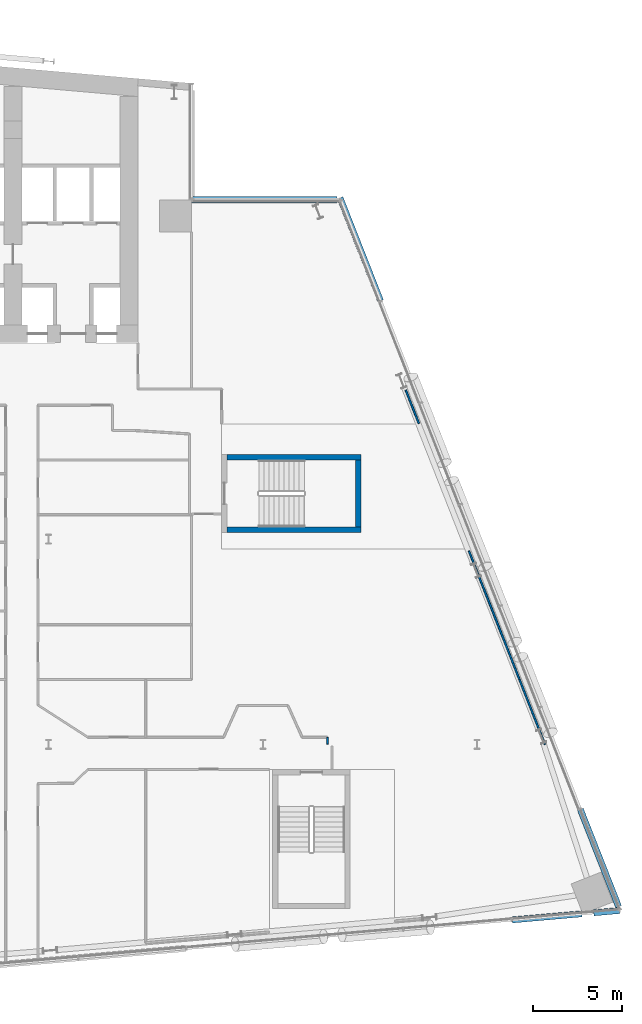
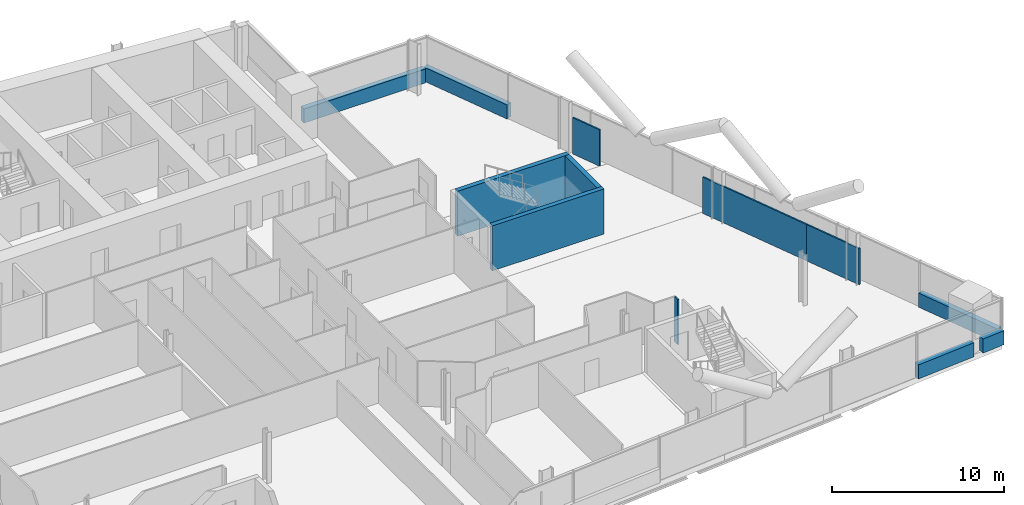
# One storey, part 19 of 27: 12 walls.
"""IFC4 building model written with IfcOpenShell, lengths in metres."""

from ifc_helpers import new_model, si_unit, direction, frame, frame_2d, origin, place, context, subcontext, project, spatial, rectangle, extrude, material, layer, layer_set, type_object, element, save


model = new_model("IFC4")

# Units and contexts
model_context = context("Model", 3, precision=1e-05, world=origin(), true_north=direction((0.0, 1.0)))
body_context = subcontext(model_context, "Body", "Model", "MODEL_VIEW")
ifc_project = project(units=[si_unit("LENGTHUNIT", "METRE"), si_unit("AREAUNIT", "SQUARE_METRE"), si_unit("VOLUMEUNIT", "CUBIC_METRE"), si_unit("PLANEANGLEUNIT", "RADIAN"), si_unit("MASSUNIT", "GRAM", prefix="KILO")], contexts=[model_context])

# Site, building, storey
site_placement = place(None, origin())
site = spatial("IfcSite", under=ifc_project, at=site_placement, CompositionType="ELEMENT")
building_placement = place(site_placement, origin())
building = spatial("IfcBuilding", under=site, at=building_placement, Name="Wharfspan Tower", CompositionType="ELEMENT")
storey_placement = place(building_placement, frame((0.0, 0.0, 118.300049)))
storey = spatial("IfcBuildingStorey", under=building, at=storey_placement, Name="L27", CompositionType="ELEMENT", Elevation=118.300049)

# Walls
ifc_material_1 = material(Name="Gypsum board on steel studs", Category="steel")
ifc_layer_1 = layer(ifc_material_1, 0.100098)
ifc_layer_set_1 = layer_set([ifc_layer_1], Name="Gypsum board on steel studs")
wall_type_1 = type_object("IfcWallType", Name="Compartment wall 100 EI 60", PredefinedType="PARTITIONING", material=ifc_layer_set_1)
wall_1_placement = place(storey_placement, frame((75.61499, 11.514893, 0.0), z_axis=(0.0, 0.0, 1.0), x_axis=(0.0, 1.0, 0.0)))
element("IfcWall", 1, at=wall_1_placement, inside=storey, type_object=wall_type_1, Name="Partition L27.w064", PredefinedType="PARTITIONING", context=body_context, shape_type="SweptSolid", body=[
    extrude(rectangle(XDim=0.380127, YDim=0.100098, at=frame_2d((0.189941, 0.0))), origin(), (0.0, 0.0, 1.0), 3.199951),
])
ifc_layer_2 = layer(ifc_material_1, 0.100098)
ifc_layer_set_2 = layer_set([ifc_layer_2], Name="Gypsum board on steel studs")
wall_type_2 = type_object("IfcWallType", Name="Partition 100", PredefinedType="PARTITIONING", material=ifc_layer_set_2)
wall_2_placement = place(storey_placement, frame((80.737061, 29.469971, 0.0), z_axis=(0.0, 0.0, 1.0), x_axis=(-0.365847, 0.930674, 0.0)))
element("IfcWall", 2, at=wall_2_placement, inside=storey, type_object=wall_type_2, Name="Partition L27.w067", PredefinedType="PARTITIONING", context=body_context, shape_type="SweptSolid", body=[
    extrude(rectangle(XDim=2.014648, YDim=0.100098, at=frame_2d((1.007324, 0.0))), origin(), (0.0, 0.0, 1.0), 2.579834),
])
wall_3_placement = place(storey_placement, frame((86.370117, 15.129883, 0.0), z_axis=(0.0, 0.0, 1.0), x_axis=(-0.365535, 0.930794, 0.0)))
element("IfcWall", 3, at=wall_3_placement, inside=storey, type_object=wall_type_2, Name="Partition L27.w068", PredefinedType="PARTITIONING", context=body_context, shape_type="SweptSolid", body=[
    extrude(rectangle(XDim=7.739014, YDim=0.100098, at=frame_2d((3.869629, 0.0))), origin(), (0.0, 0.0, 1.0), 2.579834),
])
wall_4_placement = place(storey_placement, frame((87.800049, 11.5, 0.0), z_axis=(0.0, 0.0, 1.0), x_axis=(-0.366521, 0.930414, 0.0)))
element("IfcWall", 4, at=wall_4_placement, inside=storey, type_object=wall_type_2, Name="Partition L27.w069", PredefinedType="PARTITIONING", context=body_context, shape_type="SweptSolid", body=[
    extrude(rectangle(XDim=3.901367, YDim=0.100098, at=frame_2d((1.950684, 0.0))), origin(), (0.0, 0.0, 1.0), 2.579834),
])
ifc_material_2 = material(Name="Concrete C40/50", Category="concrete")
ifc_layer_3 = layer(ifc_material_2, 0.350098)
ifc_layer_set_3 = layer_set([ifc_layer_3], Name="Concrete C40/50")
wall_type_3 = type_object("IfcWallType", Name="SPANDREL EXPOSED CONCRETE 350", PredefinedType="SOLIDWALL", material=ifc_layer_set_3)
wall_5_placement = place(storey_placement, frame((85.958984, 1.666504, 0.0), z_axis=(0.0, 0.0, 1.0), x_axis=(0.996194, 0.087167, 0.0)))
element("IfcWall", 5, at=wall_5_placement, inside=storey, type_object=wall_type_3, Name="Spandrel upstand L27 S2 2", PredefinedType="SOLIDWALL", context=body_context, shape_type="SweptSolid", body=[
    extrude(rectangle(XDim=3.921143, YDim=0.350098, at=frame_2d((1.960449, 0.0))), origin(), (0.0, 0.0, 1.0), 1.0),
])
wall_6_placement = place(storey_placement, frame((90.5271, 2.066162, 0.0), z_axis=(0.0, 0.0, 1.0), x_axis=(0.996198, 0.087157, 0.0)))
element("IfcWall", 6, at=wall_6_placement, inside=storey, type_object=wall_type_3, Name="Spandrel upstand L27 S2 3", PredefinedType="SOLIDWALL", context=body_context, shape_type="SweptSolid", body=[
    extrude(rectangle(XDim=1.479004, YDim=0.350098, at=frame_2d((0.739502, 0.0))), origin(), (0.0, 0.0, 1.0), 1.0),
])
wall_7_placement = place(storey_placement, frame((91.921387, 2.413574, 0.0), z_axis=(0.0, 0.0, 1.0), x_axis=(-0.36578, 0.930701, 0.0)))
element("IfcWall", 7, at=wall_7_placement, inside=storey, type_object=wall_type_3, Name="Spandrel upstand L27 E 1", PredefinedType="SOLIDWALL", context=body_context, shape_type="SweptSolid", body=[
    extrude(rectangle(XDim=5.851562, YDim=0.350098, at=frame_2d((2.925781, 0.0))), origin(), (0.0, 0.0, 1.0), 1.0),
])
wall_8_placement = place(storey_placement, frame((78.586426, 36.343994, 0.0), z_axis=(0.0, 0.0, 1.0), x_axis=(-0.365792, 0.930699, 0.0)))
element("IfcWall", 8, at=wall_8_placement, inside=storey, type_object=wall_type_3, Name="Spandrel upstand L27 E 2", PredefinedType="SOLIDWALL", context=body_context, shape_type="SweptSolid", body=[
    extrude(rectangle(XDim=6.20166, YDim=0.350098, at=frame_2d((3.10083, 0.0))), origin(), (0.0, 0.0, 1.0), 1.0),
])
wall_9_placement = place(storey_placement, frame((76.155029, 42.004883, 0.0), z_axis=(0.0, 0.0, 1.0), x_axis=(-1.0, 0.0, 0.0)))
element("IfcWall", 9, at=wall_9_placement, inside=storey, type_object=wall_type_3, Name="Spandrel upstand L27 NRE-H", PredefinedType="SOLIDWALL", context=body_context, shape_type="SweptSolid", body=[
    extrude(rectangle(XDim=8.155029, YDim=0.350098, at=frame_2d((4.077637, 0.0))), origin(), (0.0, 0.0, 1.0), 1.0),
])
ifc_layer_4 = layer(ifc_material_2, 0.300049)
ifc_layer_set_4 = layer_set([ifc_layer_4], Name="Concrete C40/50")
wall_type_4 = type_object("IfcWallType", Name="Stair core wall 300", PredefinedType="SHEAR", material=ifc_layer_set_4)
for number, where, z_axis, x_axis, name in (
    (10, (69.990479, 23.524902, 0.0), (0.0, 0.0, 1.0), (1.0, 0.0, 0.0), "ST6 stair enclosure wall L27"),
    (11, (69.990479, 27.574951, 0.0), (0.0, 0.0, 1.0), (1.0, 0.0, 0.0), "ST6 stair enclosure wall L27"),
):
    element("IfcWall", number, at=place(storey_placement, frame(where, z_axis=z_axis, x_axis=x_axis)), inside=storey, type_object=wall_type_4, Name=name, PredefinedType="SHEAR", context=body_context, shape_type="SweptSolid", body=[
        extrude(rectangle(XDim=7.5, YDim=0.300049, at=frame_2d((3.75, 0.0))), origin(), (0.0, 0.0, 1.0), 3.199951),
    ])
wall_10_placement = place(storey_placement, frame((77.340332, 23.675049, 0.0), z_axis=(0.0, 0.0, 1.0), x_axis=(0.0, 1.0, 0.0)))
element("IfcWall", 12, at=wall_10_placement, inside=storey, type_object=wall_type_4, Name="ST6 stair enclosure wall L27", PredefinedType="SHEAR", context=body_context, shape_type="SweptSolid", body=[
    extrude(rectangle(XDim=3.75, YDim=0.300049, at=frame_2d((1.875, 0.0))), origin(), (0.0, 0.0, 1.0), 3.199951),
])

save(model, "model.ifc")
